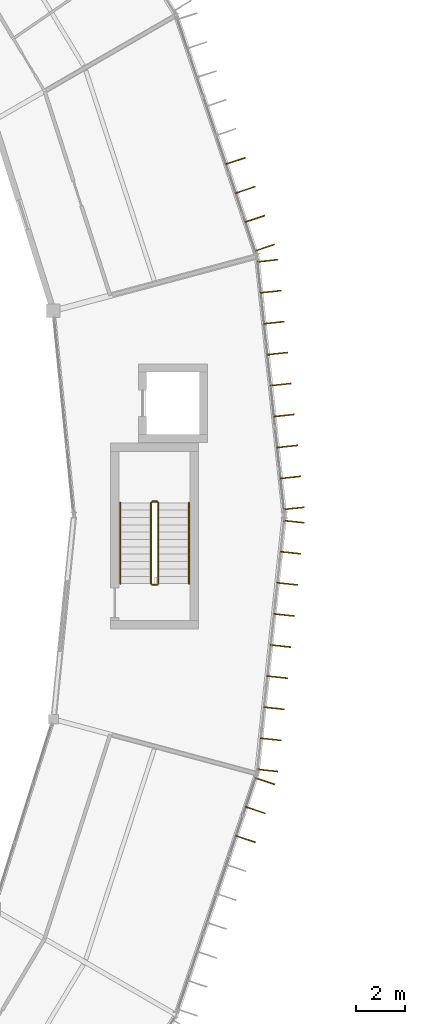
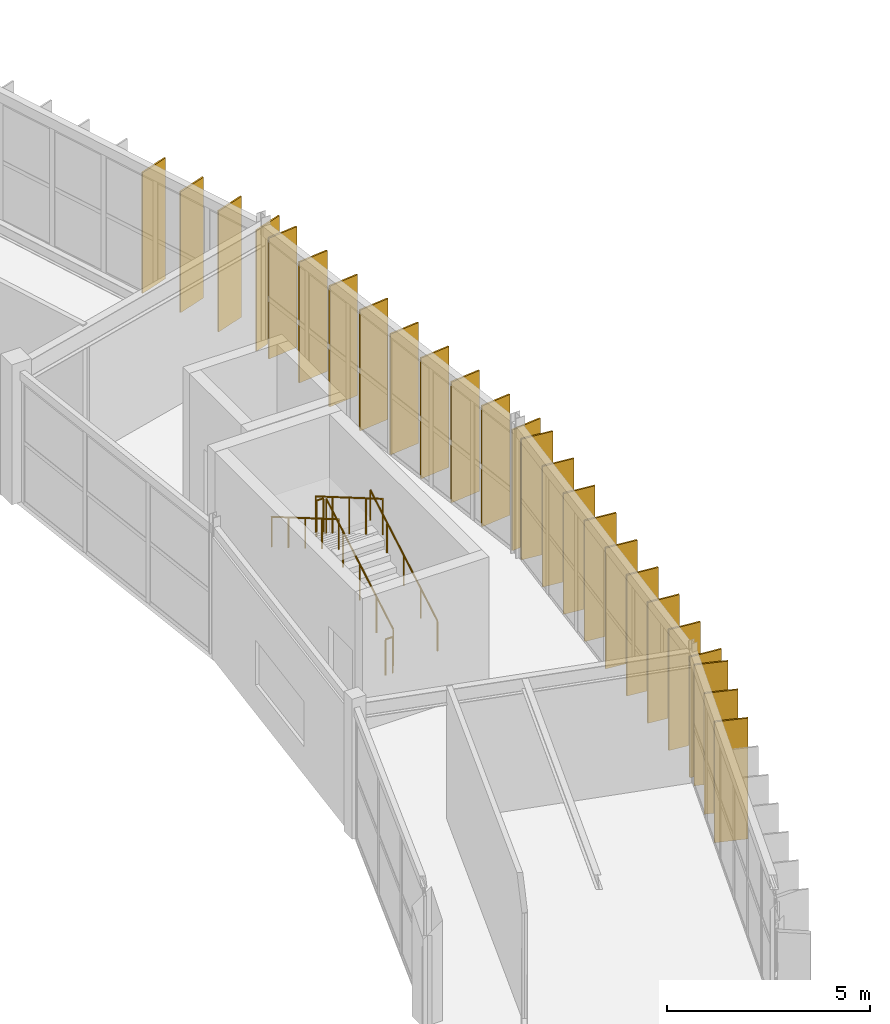
# One storey, part 129 of 134: 25 shading devices, 6 railings.
"""IFC4 building model written with IfcOpenShell, lengths in metres."""

from ifc_helpers import new_model, si_unit, direction, frame, origin, origin_2d, place, context, subcontext, project, spatial, rectangle, circle, extrude, material, layer, layer_set, type_object, element, save


model = new_model("IFC4")

# Units and contexts
model_context = context("Model", 3, precision=1e-05, world=origin(), true_north=direction((0.0, 1.0)))
body_context = subcontext(model_context, "Body", "Model", "MODEL_VIEW")
ifc_project = project(units=[si_unit("LENGTHUNIT", "METRE"), si_unit("AREAUNIT", "SQUARE_METRE"), si_unit("VOLUMEUNIT", "CUBIC_METRE"), si_unit("PLANEANGLEUNIT", "RADIAN"), si_unit("MASSUNIT", "GRAM", prefix="KILO")], contexts=[model_context])

# Site, building, storey
site_placement = place(None, origin())
site = spatial("IfcSite", under=ifc_project, at=site_placement, CompositionType="ELEMENT")
building_placement = place(site_placement, origin())
building = spatial("IfcBuilding", under=site, at=building_placement, Name="Karori Crest Natural Sciences Institute", CompositionType="ELEMENT")
storey_placement = place(building_placement, frame((0.0, 0.0, 21.699951171875)))
storey = spatial("IfcBuildingStorey", under=building, at=storey_placement, Name="L05", CompositionType="ELEMENT", Elevation=21.699951171875)

# Railings
ifc_material_1 = material(Name="Stainless steel 316 tubular handrail", Category="steel")
railing_type_1 = type_object("IfcRailingType", Name="RLT-HND", PredefinedType="HANDRAIL", material=ifc_material_1)
railing_1_placement = place(storey_placement, frame((95.5, 47.10009765625, 0.175048828125)))
element("IfcRailing", 1, at=railing_1_placement, inside=storey, type_object=railing_type_1, Name="Stair handrail RL-0041", PredefinedType="HANDRAIL", context=body_context, shape_type="SweptSolid", body=[
    extrude(circle(Radius=0.02392578125, at=origin_2d()), frame((0.0, 0.0, 0.90087890625), z_axis=(0.0, 0.863760357493, 0.503902812876), x_axis=(-1.0, 0.0, 0.0)), (0.0, 0.0, 1.0), 3.8203125),
    extrude(circle(Radius=0.02099609375, at=origin_2d()), origin(), (0.0, 0.0, 1.0), 0.876953125),
    extrude(circle(Radius=0.02099609375, at=origin_2d()), frame((0.0, 0.824951171875, 0.481201171875)), (0.0, 0.0, 1.0), 0.876953125),
    extrude(circle(Radius=0.02099609375, at=origin_2d()), frame((0.0, 1.64990234375, 0.96240234375)), (0.0, 0.0, 1.0), 0.876953125),
    extrude(circle(Radius=0.02099609375, at=origin_2d()), frame((0.0, 2.474853515625, 1.44384765625)), (0.0, 0.0, 1.0), 0.876953125),
    extrude(circle(Radius=0.02099609375, at=origin_2d()), frame((0.0, 3.2998046875, 1.925048828125)), (0.0, 0.0, 1.0), 0.876953125),
])
railing_2_placement = place(storey_placement, frame((92.699951171875, 50.39990234375, 2.275146484375)))
element("IfcRailing", 2, at=railing_2_placement, inside=storey, type_object=railing_type_1, Name="Stair handrail RL-0042", PredefinedType="HANDRAIL", context=body_context, shape_type="SweptSolid", body=[
    extrude(circle(Radius=0.02392578125, at=origin_2d()), frame((0.0, 0.0, 0.90087890625), z_axis=(0.0, -0.863788172461, 0.503855131081), x_axis=(1.0, 0.0, 0.0)), (0.0, 0.0, 1.0), 3.820068359375),
    extrude(circle(Radius=0.02099609375, at=origin_2d()), origin(), (0.0, 0.0, 1.0), 0.876953125),
    extrude(circle(Radius=0.02099609375, at=origin_2d()), frame((0.0, -0.824951171875, 0.481201171875)), (0.0, 0.0, 1.0), 0.876953125),
    extrude(circle(Radius=0.02099609375, at=origin_2d()), frame((0.0, -1.64990234375, 0.96240234375)), (0.0, 0.0, 1.0), 0.876953125),
    extrude(circle(Radius=0.02099609375, at=origin_2d()), frame((0.0, -2.474853515625, 1.443603515625)), (0.0, 0.0, 1.0), 0.876953125),
    extrude(circle(Radius=0.02099609375, at=origin_2d()), frame((0.0, -3.2998046875, 1.9248046875)), (0.0, 0.0, 1.0), 0.876953125),
])
ifc_material_2 = material(Name="Stainless steel 316 stair guard", Category="steel")
railing_type_2 = type_object("IfcRailingType", Name="RLT-STG", PredefinedType="GUARDRAIL", material=ifc_material_2)
railing_3_placement = place(storey_placement, frame((94.25, 47.10009765625, 0.175048828125)))
element("IfcRailing", 3, at=railing_3_placement, inside=storey, type_object=railing_type_2, Name="Stair guard RL-0037", PredefinedType="GUARDRAIL", context=body_context, shape_type="SweptSolid", body=[
    extrude(circle(Radius=0.02392578125, at=origin_2d()), frame((0.0, 0.0, 1.076171875), z_axis=(0.0, 0.863760357493, 0.503902812876), x_axis=(-1.0, 0.0, 0.0)), (0.0, 0.0, 1.0), 3.8203125),
    extrude(circle(Radius=0.02099609375, at=origin_2d()), origin(), (0.0, 0.0, 1.0), 1.052001953125),
    extrude(circle(Radius=0.02099609375, at=origin_2d()), frame((0.0, 0.824951171875, 0.481201171875)), (0.0, 0.0, 1.0), 1.052001953125),
    extrude(circle(Radius=0.02099609375, at=origin_2d()), frame((0.0, 1.64990234375, 0.96240234375)), (0.0, 0.0, 1.0), 1.052001953125),
    extrude(circle(Radius=0.02099609375, at=origin_2d()), frame((0.0, 2.474853515625, 1.44384765625)), (0.0, 0.0, 1.0), 1.052001953125),
    extrude(circle(Radius=0.02099609375, at=origin_2d()), frame((0.0, 3.2998046875, 1.925048828125)), (0.0, 0.0, 1.0), 1.052001953125),
])
railing_4_placement = place(storey_placement, frame((94.199951171875, 50.449951171875, 2.10009765625)))
element("IfcRailing", 4, at=railing_4_placement, inside=storey, type_object=railing_type_2, Name="Stair guard RL-0038", PredefinedType="GUARDRAIL", context=body_context, shape_type="SweptSolid", body=[
    extrude(circle(Radius=0.02392578125, at=origin_2d()), frame((0.0, 0.0, 1.076171875), z_axis=(-1.0, 0.0, 0.0), x_axis=(0.0, -1.0, 0.0)), (0.0, 0.0, 1.0), 0.199951171875),
    extrude(circle(Radius=0.02099609375, at=origin_2d()), origin(), (0.0, 0.0, 1.0), 1.052001953125),
    extrude(circle(Radius=0.02099609375, at=origin_2d()), frame((-0.199951171875, 0.0, 0.0)), (0.0, 0.0, 1.0), 1.052001953125),
])
railing_5_placement = place(storey_placement, frame((93.949951171875, 50.39990234375, 2.275146484375)))
element("IfcRailing", 5, at=railing_5_placement, inside=storey, type_object=railing_type_2, Name="Stair guard RL-0039", PredefinedType="GUARDRAIL", context=body_context, shape_type="SweptSolid", body=[
    extrude(circle(Radius=0.02392578125, at=origin_2d()), frame((0.0, 0.0, 1.076171875), z_axis=(0.0, -0.863788172461, 0.503855131081), x_axis=(1.0, 0.0, 0.0)), (0.0, 0.0, 1.0), 3.820068359375),
    extrude(circle(Radius=0.02099609375, at=origin_2d()), origin(), (0.0, 0.0, 1.0), 1.052001953125),
    extrude(circle(Radius=0.02099609375, at=origin_2d()), frame((0.0, -0.824951171875, 0.481201171875)), (0.0, 0.0, 1.0), 1.052001953125),
    extrude(circle(Radius=0.02099609375, at=origin_2d()), frame((0.0, -1.64990234375, 0.96240234375)), (0.0, 0.0, 1.0), 1.052001953125),
    extrude(circle(Radius=0.02099609375, at=origin_2d()), frame((0.0, -2.474853515625, 1.443603515625)), (0.0, 0.0, 1.0), 1.052001953125),
    extrude(circle(Radius=0.02099609375, at=origin_2d()), frame((0.0, -3.2998046875, 1.9248046875)), (0.0, 0.0, 1.0), 1.052001953125),
])
railing_6_placement = place(storey_placement, frame((94.199951171875, 47.050048828125, 0.0)))
element("IfcRailing", 6, at=railing_6_placement, inside=storey, type_object=railing_type_2, Name="Stair guard RL-0040", PredefinedType="GUARDRAIL", context=body_context, shape_type="SweptSolid", body=[
    extrude(circle(Radius=0.02392578125, at=origin_2d()), frame((0.0, 0.0, 1.076171875), z_axis=(-1.0, 0.0, 0.0), x_axis=(0.0, -1.0, 0.0)), (0.0, 0.0, 1.0), 0.199951171875),
    extrude(circle(Radius=0.02099609375, at=origin_2d()), origin(), (0.0, 0.0, 1.0), 1.052001953125),
    extrude(circle(Radius=0.02099609375, at=origin_2d()), frame((-0.199951171875, 0.0, 0.0)), (0.0, 0.0, 1.0), 1.052001953125),
])

# Shading devices
ifc_material_3 = material(Name="Anodised architectural aluminium 6063-T6", Category="aluminium")
ifc_layer = layer(ifc_material_3, 0.044921875, Name="Anodised architectural aluminium 6063-T6")
ifc_layer_set = layer_set([ifc_layer], Name="Anodised architectural aluminium 6063-T6")
shading_device_type = type_object("IfcShadingDeviceType", Name="SDT-FIN", PredefinedType="USERDEFINED", material=ifc_layer_set)
for number, where, z_axis, x_axis, name in (
    (7, (98.707275390625, 60.27880859375, 0.0), (0.0, 0.0, 1.0), (0.994378488506, 0.105884000668, 0.0), "Vertical solar fin FN-0817"),
    (8, (98.841796875, 59.015380859375, 0.0), (0.0, 0.0, 1.0), (0.994378488506, 0.105884000668, 0.0), "Vertical solar fin FN-0818"),
    (9, (98.976318359375, 57.751708984375, 0.0), (0.0, 0.0, 1.0), (0.994378488506, 0.105884000668, 0.0), "Vertical solar fin FN-0819"),
    (10, (99.11083984375, 56.48828125, 0.0), (0.0, 0.0, 1.0), (0.994378488506, 0.105884000668, 0.0), "Vertical solar fin FN-0820"),
    (11, (99.245361328125, 55.224853515625, 0.0), (0.0, 0.0, 1.0), (0.994378488506, 0.105884000668, 0.0), "Vertical solar fin FN-0821"),
    (12, (99.3798828125, 53.961181640625, 0.0), (0.0, 0.0, 1.0), (0.994378488506, 0.105884000668, 0.0), "Vertical solar fin FN-0822"),
    (13, (99.514404296875, 52.69775390625, 0.0), (0.0, 0.0, 1.0), (0.994378488506, 0.105884000668, 0.0), "Vertical solar fin FN-0823"),
    (14, (99.64892578125, 51.434326171875, 0.0), (0.0, 0.0, 1.0), (0.994378488506, 0.105884000668, 0.0), "Vertical solar fin FN-0824"),
    (15, (99.783447265625, 50.1708984375, 0.0), (0.0, 0.0, 1.0), (0.994378488506, 0.105884000668, 0.0), "Vertical solar fin FN-0825"),
    (16, (97.40380859375, 64.352294921875, 0.0), (0.0, 0.0, 1.0), (0.948197867933, 0.317680347595, 0.0), "Vertical solar fin FN-0831"),
    (17, (97.799560546875, 63.171630859375, 0.0), (0.0, 0.0, 1.0), (0.948197867933, 0.317680347595, 0.0), "Vertical solar fin FN-0832"),
    (18, (98.195068359375, 61.99072265625, 0.0), (0.0, 0.0, 1.0), (0.948197867933, 0.317680347595, 0.0), "Vertical solar fin FN-0833"),
    (19, (98.5908203125, 60.81005859375, 0.0), (0.0, 0.0, 1.0), (0.948197867933, 0.317680347595, 0.0), "Vertical solar fin FN-0834"),
    (20, (98.606201171875, 39.035888671875, 0.0), (0.0, 0.0, 1.0), (0.948197867933, -0.317680347595, 0.0), "Vertical solar fin FN-1003"),
    (21, (98.21044921875, 37.855224609375, 0.0), (0.0, 0.0, 1.0), (0.948197867933, -0.317680347595, 0.0), "Vertical solar fin FN-1004"),
    (22, (97.81494140625, 36.67431640625, 0.0), (0.0, 0.0, 1.0), (0.948197867933, -0.317680347595, 0.0), "Vertical solar fin FN-1005"),
    (23, (99.783447265625, 49.629150390625, 0.0), (0.0, 0.0, 1.0), (0.994378303702, -0.105885736186, 0.0), "Vertical solar fin FN-1012"),
    (24, (99.6484375, 48.35986328125, 0.0), (0.0, 0.0, 1.0), (0.994378303702, -0.105885736186, 0.0), "Vertical solar fin FN-1013"),
    (25, (99.51318359375, 47.0908203125, 0.0), (0.0, 0.0, 1.0), (0.994378303702, -0.105885736186, 0.0), "Vertical solar fin FN-1014"),
    (26, (99.3779296875, 45.821533203125, 0.0), (0.0, 0.0, 1.0), (0.994378303702, -0.105885736186, 0.0), "Vertical solar fin FN-1015"),
    (27, (99.242919921875, 44.55224609375, 0.0), (0.0, 0.0, 1.0), (0.994378303702, -0.105885736186, 0.0), "Vertical solar fin FN-1016"),
    (28, (99.107666015625, 43.282958984375, 0.0), (0.0, 0.0, 1.0), (0.994378303702, -0.105885736186, 0.0), "Vertical solar fin FN-1017"),
    (29, (98.97265625, 42.013916015625, 0.0), (0.0, 0.0, 1.0), (0.994378303702, -0.105885736186, 0.0), "Vertical solar fin FN-1018"),
    (30, (98.83740234375, 40.74462890625, 0.0), (0.0, 0.0, 1.0), (0.994378303702, -0.105885736186, 0.0), "Vertical solar fin FN-1019"),
    (31, (98.702392578125, 39.475341796875, 0.0), (0.0, 0.0, 1.0), (0.994378303702, -0.105885736186, 0.0), "Vertical solar fin FN-1020"),
):
    element("IfcShadingDevice", number, at=place(storey_placement, frame(where, z_axis=z_axis, x_axis=x_axis)), inside=storey, type_object=shading_device_type, Name=name, ObjectType="SOLAR_FIN", PredefinedType="USERDEFINED", context=body_context, shape_type="SweptSolid", body=[
        extrude(rectangle(XDim=0.85009765625, YDim=0.044921875, at=origin_2d()), origin(), (0.0, 0.0, 1.0), 3.625),
    ])

save(model, "model.ifc")
